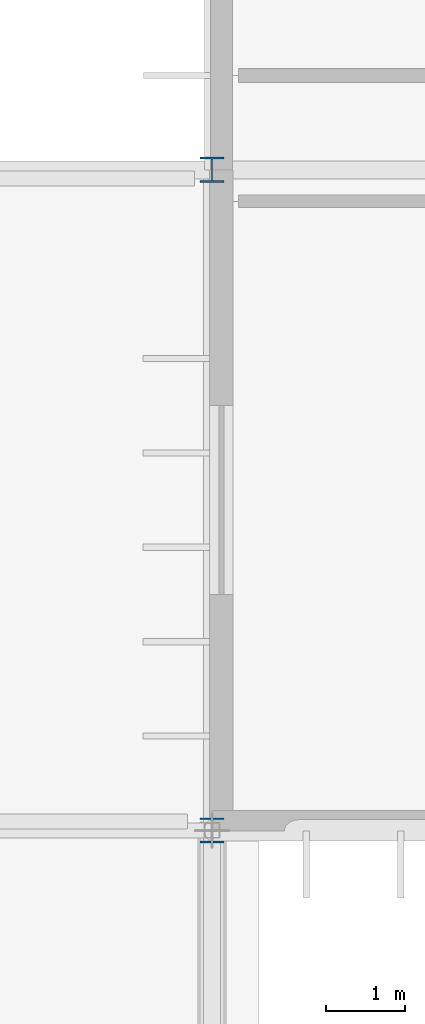
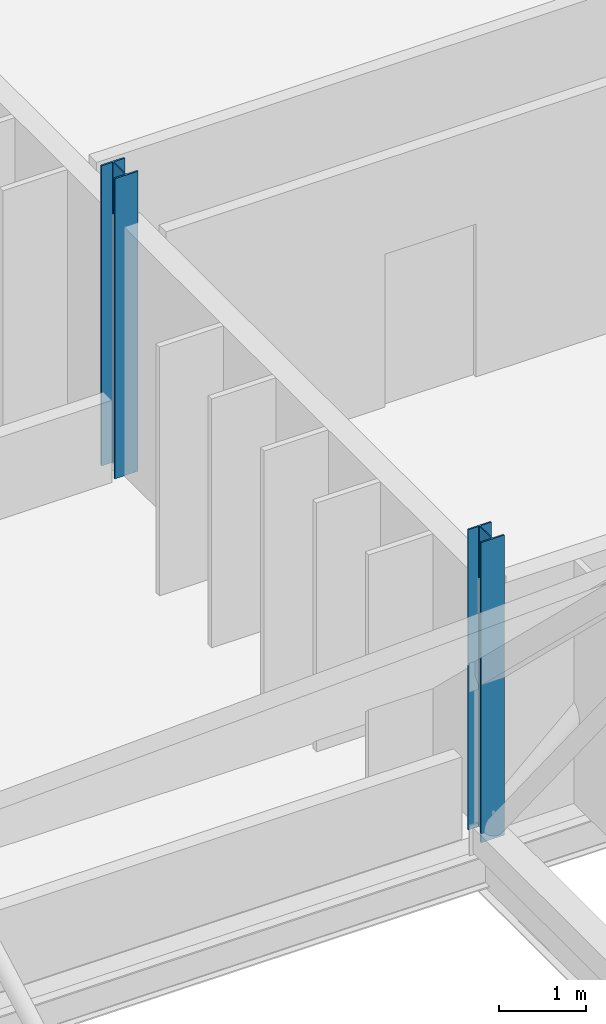
# One storey, part 3 of 99: 2 columns.
"""IFC4 building model written with IfcOpenShell, lengths in metres."""

from ifc_helpers import new_model, si_unit, direction, frame, origin, origin_2d, place, context, subcontext, project, spatial, i_section, extrude, material, material_profile, profile_set, type_object, element, save


model = new_model("IFC4")

# Units and contexts
model_context = context("Model", 3, precision=1e-05, world=origin(), true_north=direction((0.0, 1.0)))
body_context = subcontext(model_context, "Body", "Model", "MODEL_VIEW")
ifc_project = project(units=[si_unit("LENGTHUNIT", "METRE"), si_unit("AREAUNIT", "SQUARE_METRE"), si_unit("VOLUMEUNIT", "CUBIC_METRE"), si_unit("PLANEANGLEUNIT", "RADIAN"), si_unit("MASSUNIT", "GRAM", prefix="KILO")], contexts=[model_context])

# Site, building, storey
site_placement = place(None, origin())
site = spatial("IfcSite", under=ifc_project, at=site_placement, CompositionType="ELEMENT")
building_placement = place(site_placement, origin())
building = spatial("IfcBuilding", under=site, at=building_placement, Name="Qelthora Terrace Specialist Clinic", CompositionType="ELEMENT")
storey_placement = place(building_placement, frame((0.0, 0.0, 9.0)))
storey = spatial("IfcBuildingStorey", under=building, at=storey_placement, Name="L02", CompositionType="ELEMENT", Elevation=9.0)

# Columns
ifc_material = material(Name="Steel S355", Category="steel")
ifc_material_profile_1 = material_profile(ifc_material, i_section(OverallWidth=0.30810546875, OverallDepth=0.318115234375, WebThickness=0.01318359375, FlangeThickness=0.0205078125, FilletRadius=0.01611328125, at=origin_2d()), Name="W310X129")
ifc_profile_set_1 = profile_set([ifc_material_profile_1], Name="Steel S355")
column_type_1 = type_object("IfcColumnType", Name="COL-W310X129", PredefinedType="COLUMN", material=ifc_profile_set_1)
column_1_placement = place(storey_placement, frame((93.60009765625, 33.60009765625, 0.0), z_axis=(0.0, 0.0, 1.0), x_axis=(1.0, 0.0, 0.0)))
element("IfcColumn", 1, at=column_1_placement, inside=storey, type_object=column_type_1, Name="Column L02-151", PredefinedType="COLUMN", context=body_context, shape_type="SweptSolid", body=[
    extrude(i_section(OverallWidth=0.30810546875, OverallDepth=0.318115234375, WebThickness=0.01318359375, FlangeThickness=0.0205078125, FilletRadius=0.01611328125, at=origin_2d()), origin(), (0.0, 0.0, 1.0), 4.199951171875),
])
ifc_material_profile_2 = material_profile(ifc_material, i_section(OverallWidth=0.30908203125, OverallDepth=0.322998046875, WebThickness=0.013916015625, FlangeThickness=0.02294921875, FilletRadius=0.01611328125, at=origin_2d()), Name="W310X143")
ifc_profile_set_2 = profile_set([ifc_material_profile_2], Name="Steel S355")
column_type_2 = type_object("IfcColumnType", Name="COL-W310X143", PredefinedType="COLUMN", material=ifc_profile_set_2)
column_2_placement = place(storey_placement, frame((93.60009765625, 42.0, 0.0), z_axis=(0.0, 0.0, 1.0), x_axis=(1.0, 0.0, 0.0)))
element("IfcColumn", 2, at=column_2_placement, inside=storey, type_object=column_type_2, Name="Column L02-152", PredefinedType="COLUMN", context=body_context, shape_type="SweptSolid", body=[
    extrude(i_section(OverallWidth=0.30908203125, OverallDepth=0.322998046875, WebThickness=0.013916015625, FlangeThickness=0.02294921875, FilletRadius=0.01611328125, at=origin_2d()), origin(), (0.0, 0.0, 1.0), 4.199951171875),
])

save(model, "model.ifc")
